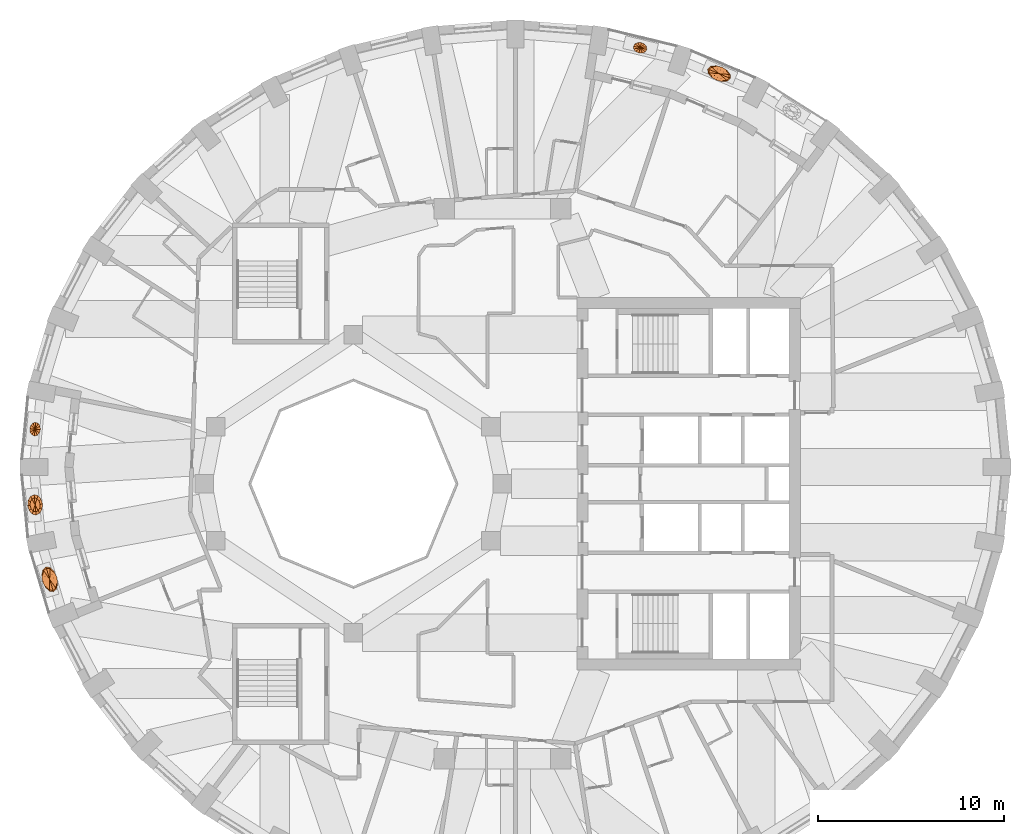
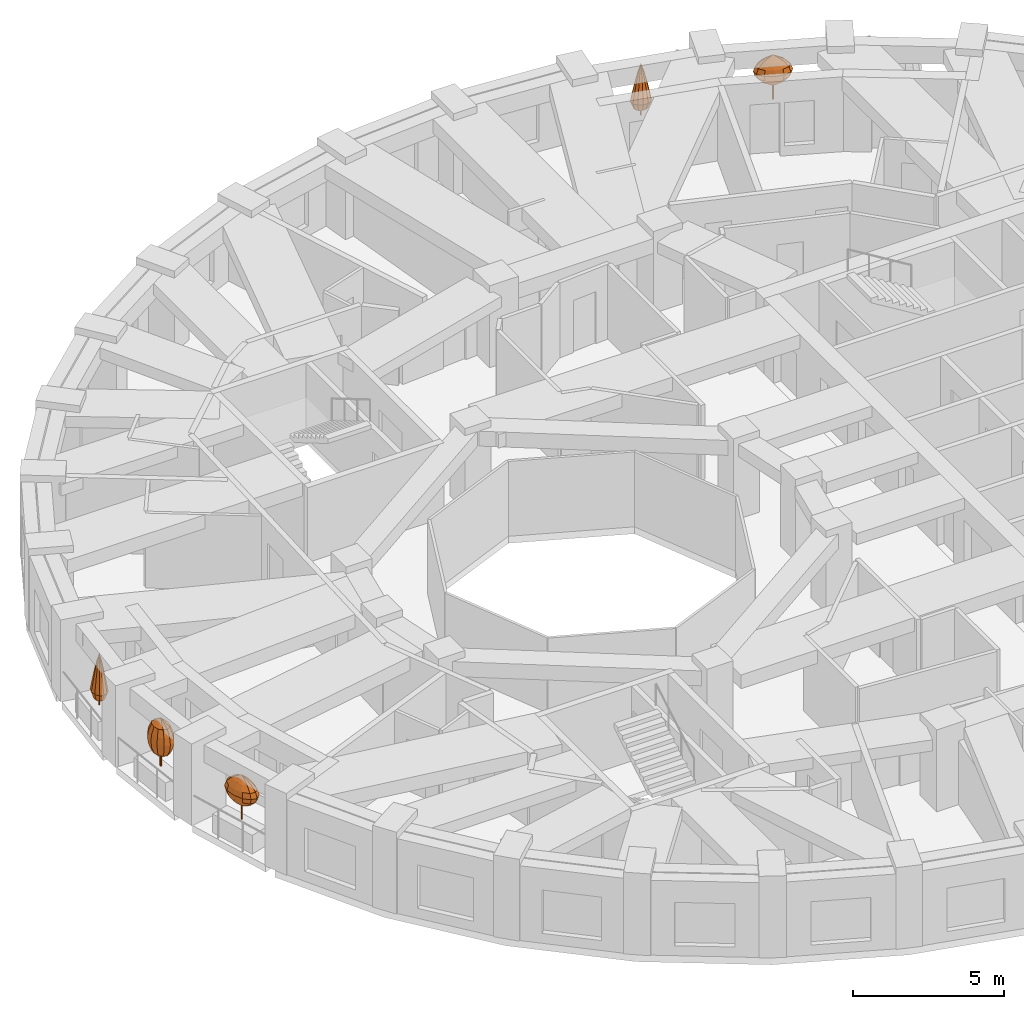
# One storey, part 11 of 12: 5 geographic elements.
"""IFC4 building model written with IfcOpenShell, lengths in metres."""

from ifc_helpers import new_model, si_unit, direction, frame, origin, place, context, subcontext, project, spatial, faceted_brep, material, constituent, constituent_set, type_object, element, save


model = new_model("IFC4")

# Units and contexts
model_context = context("Model", 3, precision=1e-05, world=origin(), true_north=direction((0.0, 1.0)))
body_context = subcontext(model_context, "Body", "Model", "MODEL_VIEW")
ifc_project = project(units=[si_unit("LENGTHUNIT", "METRE"), si_unit("AREAUNIT", "SQUARE_METRE"), si_unit("VOLUMEUNIT", "CUBIC_METRE"), si_unit("PLANEANGLEUNIT", "RADIAN"), si_unit("MASSUNIT", "GRAM", prefix="KILO")], contexts=[model_context])

# Site, building, storey
site_placement = place(None, origin())
site = spatial("IfcSite", under=ifc_project, at=site_placement, CompositionType="ELEMENT")
building_placement = place(site_placement, origin())
building = spatial("IfcBuilding", under=site, at=building_placement, Name="Taillehof Tower", CompositionType="ELEMENT")
storey_placement = place(building_placement, frame((0.0, 0.0, 195.800048828125)))
storey = spatial("IfcBuildingStorey", under=building, at=storey_placement, Name="L55", CompositionType="ELEMENT", Elevation=195.800048828125)

# Geographic elements
ifc_material_1 = material(Name="Tree bark", Category="timber")
ifc_constituent_1 = constituent(ifc_material_1, Name="Trunk", Category="timber")
ifc_material_2 = material(Name="Tree foliage")
ifc_constituent_2 = constituent(ifc_material_2, Name="Crown")
ifc_constituent_set_1 = constituent_set(constituents=[ifc_constituent_1, ifc_constituent_2], Name="Tree TR2 Fastigiate yew")
geographic_element_type_1 = type_object("IfcGeographicElementType", Name="Tree TR2 Fastigiate yew", PredefinedType="USERDEFINED", material=ifc_constituent_set_1)
geographic_element_1_placement = place(storey_placement, frame((-25.089599609375, -1.131591796875, 0.75)))
element("IfcGeographicElement", 1, at=geographic_element_1_placement, inside=storey, type_object=geographic_element_type_1, Name="Tree TR2 Fastigiate yew", ObjectType="TREE", PredefinedType="USERDEFINED", context=body_context, shape_type="Brep", body=[
    faceted_brep([(0.034912109375, 0.0, 0.0), (0.024658203125, 0.024658203125, 0.0), (0.024658203125, 0.024658203125, 0.909912109375), (0.034912109375, 0.0, 0.909912109375), (0.0, 0.034912109375, 0.0), (0.0, 0.034912109375, 0.909912109375), (-0.024658203125, 0.024658203125, 0.0), (-0.024658203125, 0.024658203125, 0.909912109375), (-0.034912109375, 0.0, 0.0), (-0.034912109375, 0.0, 0.909912109375), (-0.024658203125, -0.024658203125, 0.0), (-0.024658203125, -0.024658203125, 0.909912109375), (0.0, -0.034912109375, 0.0), (0.0, -0.034912109375, 0.909912109375), (0.024658203125, -0.024658203125, 0.0), (0.024658203125, -0.024658203125, 0.909912109375)], [[[0, 1, 2, 3]], [[1, 4, 5, 2]], [[4, 6, 7, 5]], [[6, 8, 9, 7]], [[8, 10, 11, 9]], [[10, 12, 13, 11]], [[12, 14, 15, 13]], [[14, 0, 3, 15]], [[14, 12, 10, 8, 6, 4, 1, 0]], [[3, 2, 5, 7, 9, 11, 13, 15]]]),
    faceted_brep([(0.0, 0.0, 0.35009765625), (0.16748046875, -0.310546875, 0.61669921875), (0.036376953125, -0.373779296875, 0.61669921875), (0.253662109375, -0.1640625, 0.61669921875), (0.27197265625, 0.0263671875, 0.61669921875), (0.21728515625, 0.2099609375, 0.61669921875), (0.1044921875, 0.3369140625, 0.61669921875), (-0.036376953125, 0.373779296875, 0.61669921875), (-0.16748046875, 0.310546875, 0.61669921875), (-0.253662109375, 0.1640625, 0.61669921875), (-0.27197265625, -0.0263671875, 0.61669921875), (-0.21728515625, -0.2099609375, 0.61669921875), (-0.1044921875, -0.3369140625, 0.61669921875), (0.2265625, -0.420166015625, 0.88330078125), (0.049072265625, -0.505859375, 0.88330078125), (0.34326171875, -0.221923828125, 0.88330078125), (0.367919921875, 0.035888671875, 0.88330078125), (0.2939453125, 0.283935546875, 0.88330078125), (0.141357421875, 0.455810546875, 0.88330078125), (-0.049072265625, 0.505859375, 0.88330078125), (-0.2265625, 0.420166015625, 0.88330078125), (-0.34326171875, 0.221923828125, 0.88330078125), (-0.367919921875, -0.035888671875, 0.88330078125), (-0.2939453125, -0.283935546875, 0.88330078125), (-0.141357421875, -0.455810546875, 0.88330078125), (0.2451171875, -0.454833984375, 1.14990234375), (0.05322265625, -0.54736328125, 1.14990234375), (0.371337890625, -0.240234375, 1.14990234375), (0.398193359375, 0.038818359375, 1.14990234375), (0.318115234375, 0.30712890625, 1.14990234375), (0.15283203125, 0.493408203125, 1.14990234375), (-0.05322265625, 0.54736328125, 1.14990234375), (-0.2451171875, 0.454833984375, 1.14990234375), (-0.371337890625, 0.240234375, 1.14990234375), (-0.398193359375, -0.038818359375, 1.14990234375), (-0.318115234375, -0.30712890625, 1.14990234375), (-0.15283203125, -0.493408203125, 1.14990234375), (0.2265625, -0.420166015625, 1.416748046875), (0.049072265625, -0.505859375, 1.416748046875), (0.34326171875, -0.221923828125, 1.416748046875), (0.367919921875, 0.035888671875, 1.416748046875), (0.2939453125, 0.283935546875, 1.416748046875), (0.141357421875, 0.455810546875, 1.416748046875), (-0.049072265625, 0.505859375, 1.416748046875), (-0.2265625, 0.420166015625, 1.416748046875), (-0.34326171875, 0.221923828125, 1.416748046875), (-0.367919921875, -0.035888671875, 1.416748046875), (-0.2939453125, -0.283935546875, 1.416748046875), (-0.141357421875, -0.455810546875, 1.416748046875), (0.16748046875, -0.310546875, 1.683349609375), (0.036376953125, -0.373779296875, 1.683349609375), (0.253662109375, -0.1640625, 1.683349609375), (0.27197265625, 0.0263671875, 1.683349609375), (0.21728515625, 0.2099609375, 1.683349609375), (0.1044921875, 0.3369140625, 1.683349609375), (-0.036376953125, 0.373779296875, 1.683349609375), (-0.16748046875, 0.310546875, 1.683349609375), (-0.253662109375, 0.1640625, 1.683349609375), (-0.27197265625, -0.0263671875, 1.683349609375), (-0.21728515625, -0.2099609375, 1.683349609375), (-0.1044921875, -0.3369140625, 1.683349609375), (0.0, 0.0, 1.949951171875)], [[[0, 1, 2]], [[0, 3, 1]], [[0, 4, 3]], [[0, 5, 4]], [[0, 6, 5]], [[0, 7, 6]], [[0, 8, 7]], [[0, 9, 8]], [[0, 10, 9]], [[0, 11, 10]], [[0, 12, 11]], [[0, 2, 12]], [[2, 1, 13, 14]], [[1, 3, 15, 13]], [[3, 4, 16, 15]], [[4, 5, 17, 16]], [[5, 6, 18, 17]], [[6, 7, 19, 18]], [[7, 8, 20, 19]], [[8, 9, 21, 20]], [[9, 10, 22, 21]], [[10, 11, 23, 22]], [[11, 12, 24, 23]], [[12, 2, 14, 24]], [[14, 13, 25, 26]], [[13, 15, 27, 25]], [[15, 16, 28, 27]], [[16, 17, 29, 28]], [[17, 18, 30, 29]], [[18, 19, 31, 30]], [[19, 20, 32, 31]], [[20, 21, 33, 32]], [[21, 22, 34, 33]], [[22, 23, 35, 34]], [[23, 24, 36, 35]], [[24, 14, 26, 36]], [[26, 25, 37, 38]], [[25, 27, 39, 37]], [[27, 28, 40, 39]], [[28, 29, 41, 40]], [[29, 30, 42, 41]], [[30, 31, 43, 42]], [[31, 32, 44, 43]], [[32, 33, 45, 44]], [[33, 34, 46, 45]], [[34, 35, 47, 46]], [[35, 36, 48, 47]], [[36, 26, 38, 48]], [[38, 37, 49, 50]], [[37, 39, 51, 49]], [[39, 40, 52, 51]], [[40, 41, 53, 52]], [[41, 42, 54, 53]], [[42, 43, 55, 54]], [[43, 44, 56, 55]], [[44, 45, 57, 56]], [[45, 46, 58, 57]], [[46, 47, 59, 58]], [[47, 48, 60, 59]], [[48, 38, 50, 60]], [[50, 49, 61]], [[49, 51, 61]], [[51, 52, 61]], [[52, 53, 61]], [[53, 54, 61]], [[54, 55, 61]], [[55, 56, 61]], [[56, 57, 61]], [[57, 58, 61]], [[58, 59, 61]], [[59, 60, 61]], [[60, 50, 61]]]),
])
ifc_material_3 = material(Name="Tree bark", Category="timber")
ifc_constituent_3 = constituent(ifc_material_3, Name="Trunk", Category="timber")
ifc_material_4 = material(Name="Tree foliage")
ifc_constituent_4 = constituent(ifc_material_4, Name="Crown")
ifc_constituent_set_2 = constituent_set(constituents=[ifc_constituent_3, ifc_constituent_4], Name="Tree TR4 Sea buckthorn standard")
geographic_element_type_2 = type_object("IfcGeographicElementType", Name="Tree TR4 Sea buckthorn standard", PredefinedType="USERDEFINED", material=ifc_constituent_set_2)
geographic_element_2_placement = place(storey_placement, frame((11.63720703125, 22.017822265625, 0.75)))
element("IfcGeographicElement", 2, at=geographic_element_2_placement, inside=storey, type_object=geographic_element_type_2, Name="Tree TR4 Sea buckthorn standard", ObjectType="TREE", PredefinedType="USERDEFINED", context=body_context, shape_type="Brep", body=[
    faceted_brep([(0.030029296875, 0.0, 0.0), (0.021240234375, 0.021240234375, 0.0), (0.021240234375, 0.021240234375, 0.98095703125), (0.030029296875, 0.0, 0.98095703125), (0.0, 0.030029296875, 0.0), (0.0, 0.030029296875, 0.98095703125), (-0.021240234375, 0.021240234375, 0.0), (-0.021240234375, 0.021240234375, 0.98095703125), (-0.030029296875, 0.0, 0.0), (-0.030029296875, 0.0, 0.98095703125), (-0.021240234375, -0.021240234375, 0.0), (-0.021240234375, -0.021240234375, 0.98095703125), (0.0, -0.030029296875, 0.0), (0.0, -0.030029296875, 0.98095703125), (0.021240234375, -0.021240234375, 0.0), (0.021240234375, -0.021240234375, 0.98095703125)], [[[0, 1, 2, 3]], [[1, 4, 5, 2]], [[4, 6, 7, 5]], [[6, 8, 9, 7]], [[8, 10, 11, 9]], [[10, 12, 13, 11]], [[12, 14, 15, 13]], [[14, 0, 3, 15]], [[14, 12, 10, 8, 6, 4, 1, 0]], [[3, 2, 5, 7, 9, 11, 13, 15]]]),
    faceted_brep([(0.0, 0.0, 0.5400390625), (-0.34716796875, 0.02734375, 0.75), (-0.352294921875, 0.147705078125, 0.75), (-0.249267578125, -0.100341796875, 0.75), (-0.08447265625, -0.201171875, 0.75), (0.10302734375, -0.248046875, 0.75), (0.2626953125, -0.228515625, 0.75), (0.352294921875, -0.147705078125, 0.75), (0.34716796875, -0.02734375, 0.75), (0.249267578125, 0.100341796875, 0.75), (0.08447265625, 0.201171875, 0.75), (-0.10302734375, 0.248046875, 0.75), (-0.2626953125, 0.228515625, 0.75), (-0.538818359375, 0.04248046875, 0.9599609375), (-0.546630859375, 0.229248046875, 0.9599609375), (-0.38671875, -0.15576171875, 0.9599609375), (-0.131103515625, -0.312255859375, 0.9599609375), (0.159912109375, -0.385009765625, 0.9599609375), (0.407958984375, -0.354736328125, 0.9599609375), (0.546630859375, -0.229248046875, 0.9599609375), (0.538818359375, -0.04248046875, 0.9599609375), (0.38671875, 0.15576171875, 0.9599609375), (0.131103515625, 0.312255859375, 0.9599609375), (-0.159912109375, 0.385009765625, 0.9599609375), (-0.407958984375, 0.354736328125, 0.9599609375), (-0.6044921875, 0.047607421875, 1.169921875), (-0.61328125, 0.25732421875, 1.169921875), (-0.433837890625, -0.1748046875, 1.169921875), (-0.14697265625, -0.350341796875, 1.169921875), (0.179443359375, -0.43212890625, 1.169921875), (0.45751953125, -0.39794921875, 1.169921875), (0.61328125, -0.25732421875, 1.169921875), (0.6044921875, -0.047607421875, 1.169921875), (0.433837890625, 0.1748046875, 1.169921875), (0.14697265625, 0.350341796875, 1.169921875), (-0.179443359375, 0.43212890625, 1.169921875), (-0.45751953125, 0.39794921875, 1.169921875), (-0.538818359375, 0.04248046875, 1.3798828125), (-0.546630859375, 0.229248046875, 1.3798828125), (-0.38671875, -0.15576171875, 1.3798828125), (-0.131103515625, -0.312255859375, 1.3798828125), (0.159912109375, -0.385009765625, 1.3798828125), (0.407958984375, -0.354736328125, 1.3798828125), (0.546630859375, -0.229248046875, 1.3798828125), (0.538818359375, -0.04248046875, 1.3798828125), (0.38671875, 0.15576171875, 1.3798828125), (0.131103515625, 0.312255859375, 1.3798828125), (-0.159912109375, 0.385009765625, 1.3798828125), (-0.407958984375, 0.354736328125, 1.3798828125), (-0.34716796875, 0.02734375, 1.590087890625), (-0.352294921875, 0.147705078125, 1.590087890625), (-0.249267578125, -0.100341796875, 1.590087890625), (-0.08447265625, -0.201171875, 1.590087890625), (0.10302734375, -0.248046875, 1.590087890625), (0.2626953125, -0.228515625, 1.590087890625), (0.352294921875, -0.147705078125, 1.590087890625), (0.34716796875, -0.02734375, 1.590087890625), (0.249267578125, 0.100341796875, 1.590087890625), (0.08447265625, 0.201171875, 1.590087890625), (-0.10302734375, 0.248046875, 1.590087890625), (-0.2626953125, 0.228515625, 1.590087890625), (0.0, 0.0, 1.800048828125)], [[[0, 1, 2]], [[0, 3, 1]], [[0, 4, 3]], [[0, 5, 4]], [[0, 6, 5]], [[0, 7, 6]], [[0, 8, 7]], [[0, 9, 8]], [[0, 10, 9]], [[0, 11, 10]], [[0, 12, 11]], [[0, 2, 12]], [[2, 1, 13, 14]], [[1, 3, 15, 13]], [[3, 4, 16, 15]], [[4, 5, 17, 16]], [[5, 6, 18, 17]], [[6, 7, 19, 18]], [[7, 8, 20, 19]], [[8, 9, 21, 20]], [[9, 10, 22, 21]], [[10, 11, 23, 22]], [[11, 12, 24, 23]], [[12, 2, 14, 24]], [[14, 13, 25, 26]], [[13, 15, 27, 25]], [[15, 16, 28, 27]], [[16, 17, 29, 28]], [[17, 18, 30, 29]], [[18, 19, 31, 30]], [[19, 20, 32, 31]], [[20, 21, 33, 32]], [[21, 22, 34, 33]], [[22, 23, 35, 34]], [[23, 24, 36, 35]], [[24, 14, 26, 36]], [[26, 25, 37, 38]], [[25, 27, 39, 37]], [[27, 28, 40, 39]], [[28, 29, 41, 40]], [[29, 30, 42, 41]], [[30, 31, 43, 42]], [[31, 32, 44, 43]], [[32, 33, 45, 44]], [[33, 34, 46, 45]], [[34, 35, 47, 46]], [[35, 36, 48, 47]], [[36, 26, 38, 48]], [[38, 37, 49, 50]], [[37, 39, 51, 49]], [[39, 40, 52, 51]], [[40, 41, 53, 52]], [[41, 42, 54, 53]], [[42, 43, 55, 54]], [[43, 44, 56, 55]], [[44, 45, 57, 56]], [[45, 46, 58, 57]], [[46, 47, 59, 58]], [[47, 48, 60, 59]], [[48, 38, 50, 60]], [[50, 49, 61]], [[49, 51, 61]], [[51, 52, 61]], [[52, 53, 61]], [[53, 54, 61]], [[54, 55, 61]], [[55, 56, 61]], [[56, 57, 61]], [[57, 58, 61]], [[58, 59, 61]], [[59, 60, 61]], [[60, 50, 61]]]),
])
geographic_element_3_placement = place(storey_placement, frame((-24.305419921875, -5.1328125, 0.75)))
element("IfcGeographicElement", 3, at=geographic_element_3_placement, inside=storey, type_object=geographic_element_type_2, Name="Tree TR4 Sea buckthorn standard", ObjectType="TREE", PredefinedType="USERDEFINED", context=body_context, shape_type="Brep", body=[
    faceted_brep([(0.030029296875, 0.0, 0.0), (0.021240234375, 0.021240234375, 0.0), (0.021240234375, 0.021240234375, 0.98095703125), (0.030029296875, 0.0, 0.98095703125), (0.0, 0.030029296875, 0.0), (0.0, 0.030029296875, 0.98095703125), (-0.021240234375, 0.021240234375, 0.0), (-0.021240234375, 0.021240234375, 0.98095703125), (-0.030029296875, 0.0, 0.0), (-0.030029296875, 0.0, 0.98095703125), (-0.021240234375, -0.021240234375, 0.0), (-0.021240234375, -0.021240234375, 0.98095703125), (0.0, -0.030029296875, 0.0), (0.0, -0.030029296875, 0.98095703125), (0.021240234375, -0.021240234375, 0.0), (0.021240234375, -0.021240234375, 0.98095703125)], [[[0, 1, 2, 3]], [[1, 4, 5, 2]], [[4, 6, 7, 5]], [[6, 8, 9, 7]], [[8, 10, 11, 9]], [[10, 12, 13, 11]], [[12, 14, 15, 13]], [[14, 0, 3, 15]], [[14, 12, 10, 8, 6, 4, 1, 0]], [[3, 2, 5, 7, 9, 11, 13, 15]]]),
    faceted_brep([(0.0, 0.0, 0.5400390625), (0.20947265625, -0.30078125, 0.75), (0.11474609375, -0.38525390625, 0.75), (0.248046875, -0.1357421875, 0.75), (0.22021484375, 0.065673828125, 0.75), (0.13330078125, 0.24951171875, 0.75), (0.0107421875, 0.366455078125, 0.75), (-0.11474609375, 0.38525390625, 0.75), (-0.20947265625, 0.30078125, 0.75), (-0.248046875, 0.1357421875, 0.75), (-0.22021484375, -0.065673828125, 0.75), (-0.13330078125, -0.24951171875, 0.75), (-0.0107421875, -0.366455078125, 0.75), (0.3251953125, -0.467041015625, 0.9599609375), (0.17822265625, -0.597900390625, 0.9599609375), (0.385009765625, -0.2109375, 0.9599609375), (0.341796875, 0.101806640625, 0.9599609375), (0.206787109375, 0.38720703125, 0.9599609375), (0.0166015625, 0.56884765625, 0.9599609375), (-0.17822265625, 0.597900390625, 0.9599609375), (-0.3251953125, 0.467041015625, 0.9599609375), (-0.385009765625, 0.2109375, 0.9599609375), (-0.341796875, -0.101806640625, 0.9599609375), (-0.206787109375, -0.38720703125, 0.9599609375), (-0.0166015625, -0.56884765625, 0.9599609375), (0.36474609375, -0.52392578125, 1.169921875), (0.199951171875, -0.6708984375, 1.169921875), (0.431884765625, -0.236572265625, 1.169921875), (0.38330078125, 0.1142578125, 1.169921875), (0.232177734375, 0.434326171875, 1.169921875), (0.0185546875, 0.63818359375, 1.169921875), (-0.199951171875, 0.6708984375, 1.169921875), (-0.36474609375, 0.52392578125, 1.169921875), (-0.431884765625, 0.236572265625, 1.169921875), (-0.38330078125, -0.1142578125, 1.169921875), (-0.232177734375, -0.434326171875, 1.169921875), (-0.0185546875, -0.63818359375, 1.169921875), (0.3251953125, -0.467041015625, 1.3798828125), (0.17822265625, -0.597900390625, 1.3798828125), (0.385009765625, -0.2109375, 1.3798828125), (0.341796875, 0.101806640625, 1.3798828125), (0.206787109375, 0.38720703125, 1.3798828125), (0.0166015625, 0.56884765625, 1.3798828125), (-0.17822265625, 0.597900390625, 1.3798828125), (-0.3251953125, 0.467041015625, 1.3798828125), (-0.385009765625, 0.2109375, 1.3798828125), (-0.341796875, -0.101806640625, 1.3798828125), (-0.206787109375, -0.38720703125, 1.3798828125), (-0.0166015625, -0.56884765625, 1.3798828125), (0.20947265625, -0.30078125, 1.590087890625), (0.11474609375, -0.38525390625, 1.590087890625), (0.248046875, -0.1357421875, 1.590087890625), (0.22021484375, 0.065673828125, 1.590087890625), (0.13330078125, 0.24951171875, 1.590087890625), (0.0107421875, 0.366455078125, 1.590087890625), (-0.11474609375, 0.38525390625, 1.590087890625), (-0.20947265625, 0.30078125, 1.590087890625), (-0.248046875, 0.1357421875, 1.590087890625), (-0.22021484375, -0.065673828125, 1.590087890625), (-0.13330078125, -0.24951171875, 1.590087890625), (-0.0107421875, -0.366455078125, 1.590087890625), (0.0, 0.0, 1.800048828125)], [[[0, 1, 2]], [[0, 3, 1]], [[0, 4, 3]], [[0, 5, 4]], [[0, 6, 5]], [[0, 7, 6]], [[0, 8, 7]], [[0, 9, 8]], [[0, 10, 9]], [[0, 11, 10]], [[0, 12, 11]], [[0, 2, 12]], [[2, 1, 13, 14]], [[1, 3, 15, 13]], [[3, 4, 16, 15]], [[4, 5, 17, 16]], [[5, 6, 18, 17]], [[6, 7, 19, 18]], [[7, 8, 20, 19]], [[8, 9, 21, 20]], [[9, 10, 22, 21]], [[10, 11, 23, 22]], [[11, 12, 24, 23]], [[12, 2, 14, 24]], [[14, 13, 25, 26]], [[13, 15, 27, 25]], [[15, 16, 28, 27]], [[16, 17, 29, 28]], [[17, 18, 30, 29]], [[18, 19, 31, 30]], [[19, 20, 32, 31]], [[20, 21, 33, 32]], [[21, 22, 34, 33]], [[22, 23, 35, 34]], [[23, 24, 36, 35]], [[24, 14, 26, 36]], [[26, 25, 37, 38]], [[25, 27, 39, 37]], [[27, 28, 40, 39]], [[28, 29, 41, 40]], [[29, 30, 42, 41]], [[30, 31, 43, 42]], [[31, 32, 44, 43]], [[32, 33, 45, 44]], [[33, 34, 46, 45]], [[34, 35, 47, 46]], [[35, 36, 48, 47]], [[36, 26, 38, 48]], [[38, 37, 49, 50]], [[37, 39, 51, 49]], [[39, 40, 52, 51]], [[40, 41, 53, 52]], [[41, 42, 54, 53]], [[42, 43, 55, 54]], [[43, 44, 56, 55]], [[44, 45, 57, 56]], [[45, 46, 58, 57]], [[46, 47, 59, 58]], [[47, 48, 60, 59]], [[48, 38, 50, 60]], [[50, 49, 61]], [[49, 51, 61]], [[51, 52, 61]], [[52, 53, 61]], [[53, 54, 61]], [[54, 55, 61]], [[55, 56, 61]], [[56, 57, 61]], [[57, 58, 61]], [[58, 59, 61]], [[59, 60, 61]], [[60, 50, 61]]]),
])
ifc_material_5 = material(Name="Tree bark", Category="timber")
ifc_constituent_5 = constituent(ifc_material_5, Name="Trunk", Category="timber")
ifc_material_6 = material(Name="Tree foliage")
ifc_constituent_6 = constituent(ifc_material_6, Name="Crown")
ifc_constituent_set_3 = constituent_set(constituents=[ifc_constituent_5, ifc_constituent_6], Name="Tree TR5 Columnar juniper")
geographic_element_type_3 = type_object("IfcGeographicElementType", Name="Tree TR5 Columnar juniper", PredefinedType="USERDEFINED", material=ifc_constituent_set_3)
geographic_element_4_placement = place(storey_placement, frame((7.39794921875, 23.406005859375, 0.75)))
element("IfcGeographicElement", 4, at=geographic_element_4_placement, inside=storey, type_object=geographic_element_type_3, Name="Tree TR5 Columnar juniper", ObjectType="TREE", PredefinedType="USERDEFINED", context=body_context, shape_type="Brep", body=[
    faceted_brep([(0.02490234375, 0.0, 0.0), (0.017578125, 0.017578125, 0.0), (0.017578125, 0.017578125, 0.929931640625), (0.02490234375, 0.0, 0.929931640625), (0.0, 0.02490234375, 0.0), (0.0, 0.02490234375, 0.929931640625), (-0.017578125, 0.017578125, 0.0), (-0.017578125, 0.017578125, 0.929931640625), (-0.02490234375, 0.0, 0.0), (-0.02490234375, 0.0, 0.929931640625), (-0.017578125, -0.017578125, 0.0), (-0.017578125, -0.017578125, 0.929931640625), (0.0, -0.02490234375, 0.0), (0.0, -0.02490234375, 0.929931640625), (0.017578125, -0.017578125, 0.0), (0.017578125, -0.017578125, 0.929931640625)], [[[0, 1, 2, 3]], [[1, 4, 5, 2]], [[4, 6, 7, 5]], [[6, 8, 9, 7]], [[8, 10, 11, 9]], [[10, 12, 13, 11]], [[12, 14, 15, 13]], [[14, 0, 3, 15]], [[14, 12, 10, 8, 6, 4, 1, 0]], [[3, 2, 5, 7, 9, 11, 13, 15]]]),
    faceted_brep([(-0.24072265625, 0.05810546875, 0.300048828125), (-0.23095703125, -0.04345703125, 0.300048828125), (-0.3447265625, -0.064697265625, 0.60009765625), (-0.359130859375, 0.086669921875, 0.60009765625), (-0.159423828125, -0.133056640625, 0.300048828125), (-0.23779296875, -0.19873046875, 0.60009765625), (-0.045166015625, -0.187255859375, 0.300048828125), (-0.0673828125, -0.279296875, 0.60009765625), (0.081298828125, -0.191162109375, 0.300048828125), (0.121337890625, -0.28515625, 0.60009765625), (0.185791015625, -0.143798828125, 0.300048828125), (0.27734375, -0.214599609375, 0.60009765625), (0.24072265625, -0.05810546875, 0.300048828125), (0.359130859375, -0.086669921875, 0.60009765625), (0.23095703125, 0.04345703125, 0.300048828125), (0.3447265625, 0.064697265625, 0.60009765625), (0.159423828125, 0.133056640625, 0.300048828125), (0.23779296875, 0.19873046875, 0.60009765625), (0.045166015625, 0.187255859375, 0.300048828125), (0.0673828125, 0.279296875, 0.60009765625), (-0.081298828125, 0.191162109375, 0.300048828125), (-0.121337890625, 0.28515625, 0.60009765625), (-0.185791015625, 0.143798828125, 0.300048828125), (-0.27734375, 0.214599609375, 0.60009765625), (-0.288330078125, -0.05419921875, 0.89990234375), (-0.300537109375, 0.072509765625, 0.89990234375), (-0.198974609375, -0.166259765625, 0.89990234375), (-0.056396484375, -0.233642578125, 0.89990234375), (0.1015625, -0.238525390625, 0.89990234375), (0.23193359375, -0.1796875, 0.89990234375), (0.300537109375, -0.072509765625, 0.89990234375), (0.288330078125, 0.05419921875, 0.89990234375), (0.198974609375, 0.166259765625, 0.89990234375), (0.056396484375, 0.233642578125, 0.89990234375), (-0.1015625, 0.238525390625, 0.89990234375), (-0.23193359375, 0.1796875, 0.89990234375), (-0.22900390625, -0.04296875, 1.199951171875), (-0.23876953125, 0.0576171875, 1.199951171875), (-0.158203125, -0.132080078125, 1.199951171875), (-0.044677734375, -0.185546875, 1.199951171875), (0.08056640625, -0.189453125, 1.199951171875), (0.184326171875, -0.142578125, 1.199951171875), (0.23876953125, -0.0576171875, 1.199951171875), (0.22900390625, 0.04296875, 1.199951171875), (0.158203125, 0.132080078125, 1.199951171875), (0.044677734375, 0.185546875, 1.199951171875), (-0.08056640625, 0.189453125, 1.199951171875), (-0.184326171875, 0.142578125, 1.199951171875), (-0.16552734375, -0.031005859375, 1.5), (-0.172607421875, 0.04150390625, 1.5), (-0.1142578125, -0.095458984375, 1.5), (-0.032470703125, -0.13427734375, 1.5), (0.058349609375, -0.136962890625, 1.5), (0.13330078125, -0.10302734375, 1.5), (0.172607421875, -0.04150390625, 1.5), (0.16552734375, 0.031005859375, 1.5), (0.1142578125, 0.095458984375, 1.5), (0.032470703125, 0.13427734375, 1.5), (-0.058349609375, 0.136962890625, 1.5), (-0.13330078125, 0.10302734375, 1.5), (-0.09521484375, -0.017822265625, 1.800048828125), (-0.09912109375, 0.02392578125, 1.800048828125), (-0.065673828125, -0.054931640625, 1.800048828125), (-0.0185546875, -0.0771484375, 1.800048828125), (0.033447265625, -0.07861328125, 1.800048828125), (0.07666015625, -0.059326171875, 1.800048828125), (0.09912109375, -0.02392578125, 1.800048828125), (0.09521484375, 0.017822265625, 1.800048828125), (0.065673828125, 0.054931640625, 1.800048828125), (0.0185546875, 0.0771484375, 1.800048828125), (-0.033447265625, 0.07861328125, 1.800048828125), (-0.07666015625, 0.059326171875, 1.800048828125), (0.0, 0.0, 2.10009765625)], [[[0, 1, 2, 3]], [[1, 4, 5, 2]], [[4, 6, 7, 5]], [[6, 8, 9, 7]], [[8, 10, 11, 9]], [[10, 12, 13, 11]], [[12, 14, 15, 13]], [[14, 16, 17, 15]], [[16, 18, 19, 17]], [[18, 20, 21, 19]], [[20, 22, 23, 21]], [[22, 0, 3, 23]], [[3, 2, 24, 25]], [[2, 5, 26, 24]], [[5, 7, 27, 26]], [[7, 9, 28, 27]], [[9, 11, 29, 28]], [[11, 13, 30, 29]], [[13, 15, 31, 30]], [[15, 17, 32, 31]], [[17, 19, 33, 32]], [[19, 21, 34, 33]], [[21, 23, 35, 34]], [[23, 3, 25, 35]], [[25, 24, 36, 37]], [[24, 26, 38, 36]], [[26, 27, 39, 38]], [[27, 28, 40, 39]], [[28, 29, 41, 40]], [[29, 30, 42, 41]], [[30, 31, 43, 42]], [[31, 32, 44, 43]], [[32, 33, 45, 44]], [[33, 34, 46, 45]], [[34, 35, 47, 46]], [[35, 25, 37, 47]], [[37, 36, 48, 49]], [[36, 38, 50, 48]], [[38, 39, 51, 50]], [[39, 40, 52, 51]], [[40, 41, 53, 52]], [[41, 42, 54, 53]], [[42, 43, 55, 54]], [[43, 44, 56, 55]], [[44, 45, 57, 56]], [[45, 46, 58, 57]], [[46, 47, 59, 58]], [[47, 37, 49, 59]], [[49, 48, 60, 61]], [[48, 50, 62, 60]], [[50, 51, 63, 62]], [[51, 52, 64, 63]], [[52, 53, 65, 64]], [[53, 54, 66, 65]], [[54, 55, 67, 66]], [[55, 56, 68, 67]], [[56, 57, 69, 68]], [[57, 58, 70, 69]], [[58, 59, 71, 70]], [[59, 49, 61, 71]], [[61, 60, 72]], [[60, 62, 72]], [[62, 63, 72]], [[63, 64, 72]], [[64, 65, 72]], [[65, 66, 72]], [[66, 67, 72]], [[67, 68, 72]], [[68, 69, 72]], [[69, 70, 72]], [[70, 71, 72]], [[71, 61, 72]], [[22, 20, 18, 16, 14, 12, 10, 8, 6, 4, 1, 0]]]),
])
geographic_element_5_placement = place(storey_placement, frame((-25.089599609375, 2.931640625, 0.75)))
element("IfcGeographicElement", 5, at=geographic_element_5_placement, inside=storey, type_object=geographic_element_type_3, Name="Tree TR5 Columnar juniper", ObjectType="TREE", PredefinedType="USERDEFINED", context=body_context, shape_type="Brep", body=[
    faceted_brep([(0.02490234375, 0.0, 0.0), (0.017578125, 0.017578125, 0.0), (0.017578125, 0.017578125, 0.929931640625), (0.02490234375, 0.0, 0.929931640625), (0.0, 0.02490234375, 0.0), (0.0, 0.02490234375, 0.929931640625), (-0.017578125, 0.017578125, 0.0), (-0.017578125, 0.017578125, 0.929931640625), (-0.02490234375, 0.0, 0.0), (-0.02490234375, 0.0, 0.929931640625), (-0.017578125, -0.017578125, 0.0), (-0.017578125, -0.017578125, 0.929931640625), (0.0, -0.02490234375, 0.0), (0.0, -0.02490234375, 0.929931640625), (0.017578125, -0.017578125, 0.0), (0.017578125, -0.017578125, 0.929931640625)], [[[0, 1, 2, 3]], [[1, 4, 5, 2]], [[4, 6, 7, 5]], [[6, 8, 9, 7]], [[8, 10, 11, 9]], [[10, 12, 13, 11]], [[12, 14, 15, 13]], [[14, 0, 3, 15]], [[14, 12, 10, 8, 6, 4, 1, 0]], [[3, 2, 5, 7, 9, 11, 13, 15]]]),
    faceted_brep([(-0.02392578125, -0.246337890625, 0.300048828125), (0.074951171875, -0.22265625, 0.300048828125), (0.112060546875, -0.332275390625, 0.60009765625), (-0.03564453125, -0.36767578125, 0.60009765625), (0.154052734375, -0.139404296875, 0.300048828125), (0.229736328125, -0.2080078125, 0.60009765625), (0.191650390625, -0.0185546875, 0.300048828125), (0.2861328125, -0.02783203125, 0.60009765625), (0.177978515625, 0.10693359375, 0.300048828125), (0.265625, 0.15966796875, 0.60009765625), (0.116455078125, 0.2041015625, 0.300048828125), (0.174072265625, 0.3046875, 0.60009765625), (0.02392578125, 0.246337890625, 0.300048828125), (0.03564453125, 0.36767578125, 0.60009765625), (-0.074951171875, 0.22265625, 0.300048828125), (-0.112060546875, 0.332275390625, 0.60009765625), (-0.154052734375, 0.139404296875, 0.300048828125), (-0.229736328125, 0.2080078125, 0.60009765625), (-0.191650390625, 0.0185546875, 0.300048828125), (-0.2861328125, 0.02783203125, 0.60009765625), (-0.177978515625, -0.10693359375, 0.300048828125), (-0.265625, -0.15966796875, 0.60009765625), (-0.116455078125, -0.2041015625, 0.300048828125), (-0.174072265625, -0.3046875, 0.60009765625), (0.09375, -0.278076171875, 0.89990234375), (-0.030029296875, -0.3076171875, 0.89990234375), (0.192138671875, -0.174072265625, 0.89990234375), (0.2392578125, -0.023193359375, 0.89990234375), (0.22216796875, 0.133544921875, 0.89990234375), (0.1455078125, 0.2548828125, 0.89990234375), (0.030029296875, 0.3076171875, 0.89990234375), (-0.09375, 0.278076171875, 0.89990234375), (-0.192138671875, 0.174072265625, 0.89990234375), (-0.2392578125, 0.023193359375, 0.89990234375), (-0.22216796875, -0.133544921875, 0.89990234375), (-0.1455078125, -0.2548828125, 0.89990234375), (0.074462890625, -0.220947265625, 1.199951171875), (-0.023681640625, -0.244384765625, 1.199951171875), (0.15283203125, -0.13818359375, 1.199951171875), (0.190185546875, -0.0185546875, 1.199951171875), (0.176513671875, 0.106201171875, 1.199951171875), (0.11572265625, 0.202392578125, 1.199951171875), (0.023681640625, 0.244384765625, 1.199951171875), (-0.074462890625, 0.220947265625, 1.199951171875), (-0.15283203125, 0.13818359375, 1.199951171875), (-0.190185546875, 0.0185546875, 1.199951171875), (-0.176513671875, -0.106201171875, 1.199951171875), (-0.11572265625, -0.202392578125, 1.199951171875), (0.0537109375, -0.15966796875, 1.5), (-0.01708984375, -0.1767578125, 1.5), (0.1103515625, -0.099853515625, 1.5), (0.137451171875, -0.013427734375, 1.5), (0.127685546875, 0.07666015625, 1.5), (0.08349609375, 0.146240234375, 1.5), (0.01708984375, 0.1767578125, 1.5), (-0.0537109375, 0.15966796875, 1.5), (-0.1103515625, 0.099853515625, 1.5), (-0.137451171875, 0.013427734375, 1.5), (-0.127685546875, -0.07666015625, 1.5), (-0.08349609375, -0.146240234375, 1.5), (0.031005859375, -0.091796875, 1.800048828125), (-0.009765625, -0.1015625, 1.800048828125), (0.0634765625, -0.057373046875, 1.800048828125), (0.078857421875, -0.007568359375, 1.800048828125), (0.0732421875, 0.044189453125, 1.800048828125), (0.048095703125, 0.083984375, 1.800048828125), (0.009765625, 0.1015625, 1.800048828125), (-0.031005859375, 0.091796875, 1.800048828125), (-0.0634765625, 0.057373046875, 1.800048828125), (-0.078857421875, 0.007568359375, 1.800048828125), (-0.0732421875, -0.044189453125, 1.800048828125), (-0.048095703125, -0.083984375, 1.800048828125), (0.0, 0.0, 2.10009765625)], [[[0, 1, 2, 3]], [[1, 4, 5, 2]], [[4, 6, 7, 5]], [[6, 8, 9, 7]], [[8, 10, 11, 9]], [[10, 12, 13, 11]], [[12, 14, 15, 13]], [[14, 16, 17, 15]], [[16, 18, 19, 17]], [[18, 20, 21, 19]], [[20, 22, 23, 21]], [[22, 0, 3, 23]], [[3, 2, 24, 25]], [[2, 5, 26, 24]], [[5, 7, 27, 26]], [[7, 9, 28, 27]], [[9, 11, 29, 28]], [[11, 13, 30, 29]], [[13, 15, 31, 30]], [[15, 17, 32, 31]], [[17, 19, 33, 32]], [[19, 21, 34, 33]], [[21, 23, 35, 34]], [[23, 3, 25, 35]], [[25, 24, 36, 37]], [[24, 26, 38, 36]], [[26, 27, 39, 38]], [[27, 28, 40, 39]], [[28, 29, 41, 40]], [[29, 30, 42, 41]], [[30, 31, 43, 42]], [[31, 32, 44, 43]], [[32, 33, 45, 44]], [[33, 34, 46, 45]], [[34, 35, 47, 46]], [[35, 25, 37, 47]], [[37, 36, 48, 49]], [[36, 38, 50, 48]], [[38, 39, 51, 50]], [[39, 40, 52, 51]], [[40, 41, 53, 52]], [[41, 42, 54, 53]], [[42, 43, 55, 54]], [[43, 44, 56, 55]], [[44, 45, 57, 56]], [[45, 46, 58, 57]], [[46, 47, 59, 58]], [[47, 37, 49, 59]], [[49, 48, 60, 61]], [[48, 50, 62, 60]], [[50, 51, 63, 62]], [[51, 52, 64, 63]], [[52, 53, 65, 64]], [[53, 54, 66, 65]], [[54, 55, 67, 66]], [[55, 56, 68, 67]], [[56, 57, 69, 68]], [[57, 58, 70, 69]], [[58, 59, 71, 70]], [[59, 49, 61, 71]], [[61, 60, 72]], [[60, 62, 72]], [[62, 63, 72]], [[63, 64, 72]], [[64, 65, 72]], [[65, 66, 72]], [[66, 67, 72]], [[67, 68, 72]], [[68, 69, 72]], [[69, 70, 72]], [[70, 71, 72]], [[71, 61, 72]], [[22, 20, 18, 16, 14, 12, 10, 8, 6, 4, 1, 0]]]),
])

save(model, "model.ifc")
